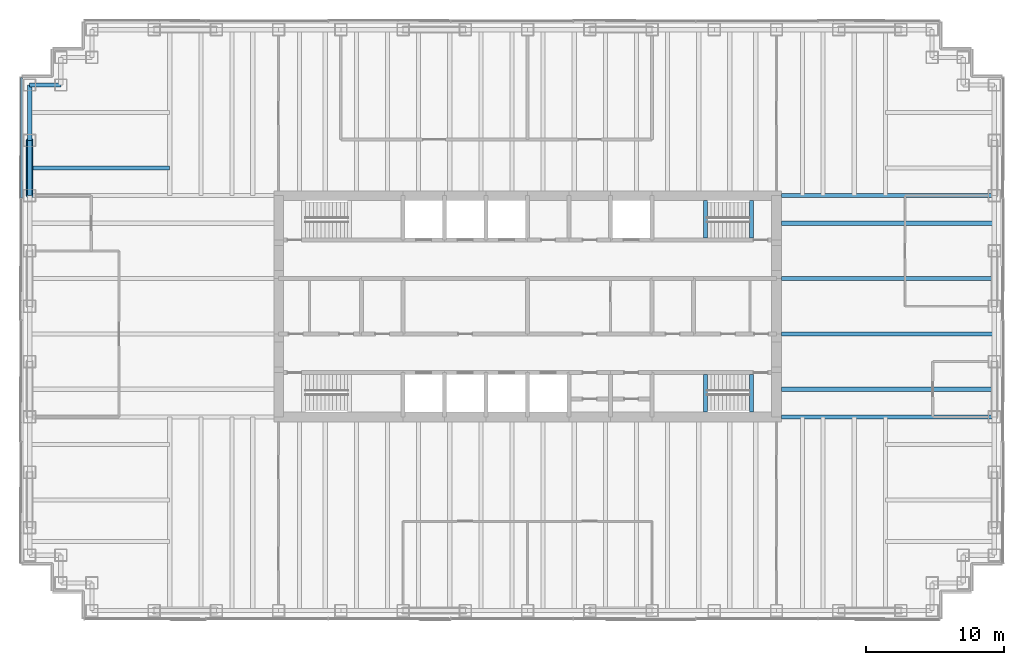
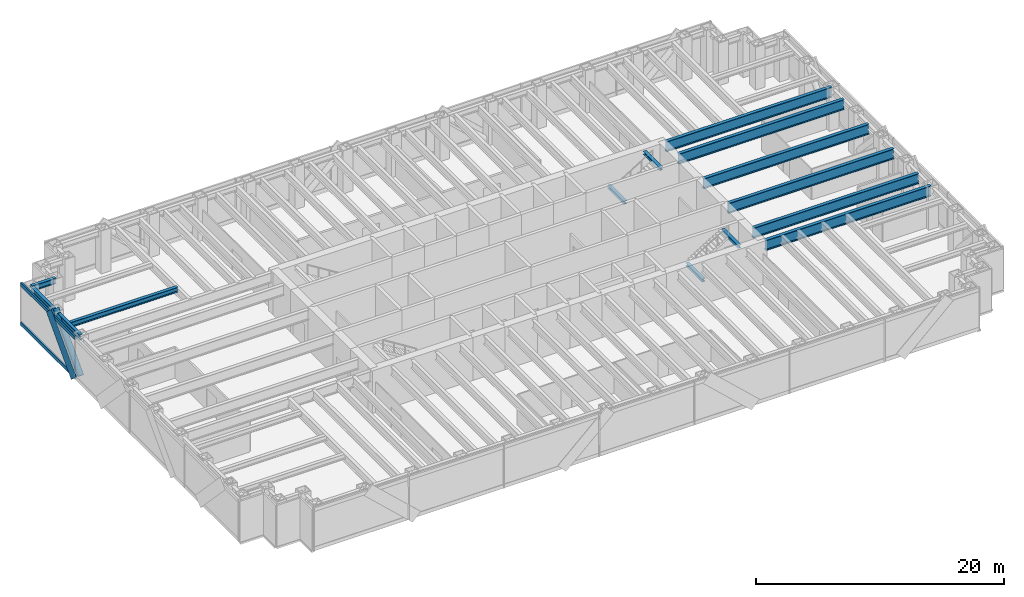
# One storey, part 5 of 15: 14 beams, 4 members, 1 element without a shape of its own.
"""IFC4 building model written with IfcOpenShell, lengths in metres."""

from ifc_helpers import new_model, si_unit, direction, frame, origin, origin_2d, place, context, subcontext, project, spatial, rectangle, hollow_circle, i_section, extrude, material, material_profile, profile_set, type_object, element, aggregate, save


model = new_model("IFC4")

# Units and contexts
model_context = context("Model", 3, precision=1e-05, world=origin(), true_north=direction((0.0, 1.0)))
body_context = subcontext(model_context, "Body", "Model", "MODEL_VIEW")
ifc_project = project(units=[si_unit("LENGTHUNIT", "METRE"), si_unit("AREAUNIT", "SQUARE_METRE"), si_unit("VOLUMEUNIT", "CUBIC_METRE"), si_unit("PLANEANGLEUNIT", "RADIAN"), si_unit("MASSUNIT", "GRAM", prefix="KILO")], contexts=[model_context])

# Site, building, storey
site_placement = place(None, origin())
site = spatial("IfcSite", under=ifc_project, at=site_placement, CompositionType="ELEMENT")
building_placement = place(site_placement, origin())
building = spatial("IfcBuilding", under=site, at=building_placement, Name="Rheinbord Bourse Tower", CompositionType="ELEMENT")
storey_placement = place(building_placement, frame((0.0, 0.0, 325.699951171875)))
storey = spatial("IfcBuildingStorey", under=building, at=storey_placement, Name="L74", CompositionType="ELEMENT", Elevation=325.699951171875)

# Curtain wall, members
ifc_material_1 = material(Name="Dark glass and black aluminium", Category="aluminium")
curtain_wall_type = type_object("IfcCurtainWallType", Name="CW3 DARK GLASS CURTAIN WALL", PredefinedType="USERDEFINED", material=ifc_material_1)
curtain_wall_placement = place(storey_placement, origin())
curtain_wall = element("IfcCurtainWall", 1, at=curtain_wall_placement, inside=storey, type_object=curtain_wall_type, Name="Curtain wall CW3 W L74", ObjectType="UNITISED CURTAIN WALL", PredefinedType="USERDEFINED")
ifc_material_2 = material(Name="Black anodised aluminium", Category="aluminium")
ifc_material_profile_1 = material_profile(ifc_material_2, rectangle(XDim=0.14990234375, YDim=1.10791015625, at=origin_2d()), Name="CW3 DIAGONAL MULLION 1108x150")
ifc_profile_set_1 = profile_set([ifc_material_profile_1], Name="Black anodised aluminium")
member_type_1 = type_object("IfcMemberType", Name="CW3 BLACK DIAGONAL MULLION", PredefinedType="USERDEFINED", material=ifc_profile_set_1)
member_1_placement = place(storey_placement, frame((-0.60009765625, 32.0, 0.0), z_axis=(0.0, 0.689659376744, 0.724133926887), x_axis=(-1.0, 0.0, 0.0)))
member_1 = element("IfcMember", 2, at=member_1_placement, type_object=member_type_1, Name="CW3 diagonal mullion c", ObjectType="DIAGONAL MULLION", PredefinedType="USERDEFINED", context=body_context, shape_type="SweptSolid", body=[
    extrude(rectangle(XDim=0.14990234375, YDim=1.10791015625, at=origin_2d()), origin(), (0.0, 0.0, 1.0), 5.800048828125),
])
ifc_material_3 = material(Name="Black anodised aluminium", Category="aluminium")
ifc_material_profile_2 = material_profile(ifc_material_3, rectangle(XDim=0.14990234375, YDim=0.35009765625, at=origin_2d()), Name="CW3 TRANSOM 350x150")
ifc_profile_set_2 = profile_set([ifc_material_profile_2], Name="Black anodised aluminium")
member_type_2 = type_object("IfcMemberType", Name="CW3 BLACK TRANSOM", PredefinedType="USERDEFINED", material=ifc_profile_set_2)
member_2_placement = place(storey_placement, frame((-0.60009765625, 40.534912109375, 0.175048828125), z_axis=(0.0, -1.0, 0.0), x_axis=(1.0, 0.0, 0.0)))
member_2 = element("IfcMember", 3, at=member_2_placement, type_object=member_type_2, Name="CW3 transom 1.1", ObjectType="TRANSOM", PredefinedType="USERDEFINED", context=body_context, shape_type="SweptSolid", body=[
    extrude(rectangle(XDim=0.14990234375, YDim=0.35009765625, at=origin_2d()), origin(), (0.0, 0.0, 1.0), 8.702392578125),
])
member_3_placement = place(storey_placement, frame((-0.60009765625, 40.534912109375, 4.025146484375), z_axis=(0.0, -1.0, 0.0), x_axis=(1.0, 0.0, 0.0)))
member_3 = element("IfcMember", 4, at=member_3_placement, type_object=member_type_2, Name="CW3 transom 1.2", ObjectType="TRANSOM", PredefinedType="USERDEFINED", context=body_context, shape_type="SweptSolid", body=[
    extrude(rectangle(XDim=0.14990234375, YDim=0.35009765625, at=origin_2d()), origin(), (0.0, 0.0, 1.0), 8.702392578125),
])
aggregate(curtain_wall, [member_2, member_3, member_1])

# Beams
ifc_material_4 = material(Name="Steel S460", Category="steel")
ifc_material_profile_3 = material_profile(ifc_material_4, i_section(OverallWidth=0.302001953125, OverallDepth=1.008056640625, WebThickness=0.02099609375, FlangeThickness=0.0400390625, at=origin_2d()), Name="HEM 1000")
ifc_profile_set_3 = profile_set([ifc_material_profile_3], Name="Steel S460")
beam_type_1 = type_object("IfcBeamType", Name="END BEAM HEM 1000", PredefinedType="BEAM", material=ifc_profile_set_3)
for number, where, z_axis, x_axis, name in (
    (5, (54.35009765625, 18.0, 3.5361328125), (1.0, 0.0, 0.0), (0.0, 1.0, 0.0), "End beam east 18 L75"),
    (6, (54.35009765625, 22.0, 3.5361328125), (1.0, 0.0, 0.0), (0.0, 1.0, 0.0), "End beam east 22 L75"),
    (7, (54.35009765625, 26.0, 3.5361328125), (1.0, 0.0, 0.0), (0.0, 1.0, 0.0), "End beam east 26 L75"),
    (8, (54.35009765625, 30.0, 3.5361328125), (1.0, 0.0, 0.0), (0.0, 1.0, 0.0), "End beam east 30 L75"),
):
    element("IfcBeam", number, at=place(storey_placement, frame(where, z_axis=z_axis, x_axis=x_axis)), inside=storey, type_object=beam_type_1, Name=name, PredefinedType="BEAM", context=body_context, shape_type="SweptSolid", body=[
        extrude(i_section(OverallWidth=0.302001953125, OverallDepth=1.008056640625, WebThickness=0.02099609375, FlangeThickness=0.0400390625, at=origin_2d()), origin(), (0.0, 0.0, 1.0), 15.39990234375),
    ])
ifc_material_5 = material(Name="Steel S460", Category="steel")
ifc_material_profile_4 = material_profile(ifc_material_5, i_section(OverallWidth=0.302001953125, OverallDepth=1.008056640625, WebThickness=0.02099609375, FlangeThickness=0.0400390625, at=origin_2d()), Name="HEM 1000")
ifc_profile_set_4 = profile_set([ifc_material_profile_4], Name="Steel S460")
beam_type_2 = type_object("IfcBeamType", Name="GIRDER HEM 1000", PredefinedType="BEAM", material=ifc_profile_set_4)
for number, where, z_axis, x_axis, name in (
    (9, (54.35009765625, 16.0, 3.5361328125), (1.0, 0.0, 0.0), (0.0, 1.0, 0.0), "Girder east 16 L75"),
    (10, (54.35009765625, 32.0, 3.5361328125), (1.0, 0.0, 0.0), (0.0, 1.0, 0.0), "Girder east 32 L75"),
):
    element("IfcBeam", number, at=place(storey_placement, frame(where, z_axis=z_axis, x_axis=x_axis)), inside=storey, type_object=beam_type_2, Name=name, PredefinedType="BEAM", context=body_context, shape_type="SweptSolid", body=[
        extrude(i_section(OverallWidth=0.302001953125, OverallDepth=1.008056640625, WebThickness=0.02099609375, FlangeThickness=0.0400390625, at=origin_2d()), origin(), (0.0, 0.0, 1.0), 15.39990234375),
    ])
ifc_material_6 = material(Name="Steel S460", Category="steel")
ifc_material_profile_5 = material_profile(ifc_material_6, i_section(OverallWidth=0.300048828125, OverallDepth=0.300048828125, WebThickness=0.010986328125, FlangeThickness=0.01904296875, at=origin_2d()), Name="HEB 300")
ifc_profile_set_5 = profile_set([ifc_material_profile_5], Name="Steel S460")
beam_type_3 = type_object("IfcBeamType", Name="LANDING TRIMMER HEB 300", PredefinedType="BEAM", material=ifc_profile_set_5)
for number, where, z_axis, x_axis, name in (
    (11, (48.8701171875, 16.35009765625, 1.75), (0.0, 1.0, 0.0), (-1.0, 0.0, 0.0), "Landing trimmer ST3 L74"),
    (12, (52.199951171875, 16.35009765625, 3.89013671875), (0.0, 1.0, 0.0), (-1.0, 0.0, 0.0), "Well trimmer ST3 under L75"),
    (13, (48.8701171875, 28.949951171875, 1.75), (0.0, 1.0, 0.0), (-1.0, 0.0, 0.0), "Landing trimmer ST4 L74"),
    (14, (52.199951171875, 28.949951171875, 3.89013671875), (0.0, 1.0, 0.0), (-1.0, 0.0, 0.0), "Well trimmer ST4 under L75"),
):
    element("IfcBeam", number, at=place(storey_placement, frame(where, z_axis=z_axis, x_axis=x_axis)), inside=storey, type_object=beam_type_3, Name=name, PredefinedType="BEAM", context=body_context, shape_type="SweptSolid", body=[
        extrude(i_section(OverallWidth=0.300048828125, OverallDepth=0.300048828125, WebThickness=0.010986328125, FlangeThickness=0.01904296875, at=origin_2d()), origin(), (0.0, 0.0, 1.0), 2.699951171875),
    ])

# Member
ifc_material_7 = material(Name="Steel S460", Category="steel")
ifc_material_profile_6 = material_profile(ifc_material_7, hollow_circle(Radius=0.25390625, WallThickness=0.030029296875, at=origin_2d()), Name="CHS 508x30")
ifc_profile_set_6 = profile_set([ifc_material_profile_6], Name="Steel S460")
member_type_3 = type_object("IfcMemberType", Name="MEGABRACE CHS 508x30", PredefinedType="BRACE", material=ifc_profile_set_6)
member_4_placement = place(storey_placement, frame((0.0, 32.0, 0.0), z_axis=(0.0, 0.689659376744, 0.724133926887), x_axis=(-1.0, 0.0, 0.0)))
element("IfcMember", 15, at=member_4_placement, inside=storey, type_object=member_type_3, Name="Megabrace W face line c L74", PredefinedType="BRACE", context=body_context, shape_type="SweptSolid", body=[
    extrude(hollow_circle(Radius=0.25390625, WallThickness=0.030029296875, at=origin_2d()), origin(), (0.0, 0.0, 1.0), 5.800048828125),
])

# Beams
ifc_material_8 = material(Name="Steel S460", Category="steel")
ifc_material_profile_7 = material_profile(ifc_material_8, i_section(OverallWidth=0.300048828125, OverallDepth=0.550048828125, WebThickness=0.014892578125, FlangeThickness=0.029052734375, at=origin_2d()), Name="HEB 550")
ifc_profile_set_7 = profile_set([ifc_material_profile_7], Name="Steel S460")
beam_type_4 = type_object("IfcBeamType", Name="SPANDREL HEB 550", PredefinedType="SPANDREL", material=ifc_profile_set_7)
beam_1_placement = place(storey_placement, frame((2.25, 40.0, 3.76513671875), z_axis=(-1.0, 0.0, 0.0), x_axis=(0.0, -1.0, 0.0)))
element("IfcBeam", 16, at=beam_1_placement, inside=storey, type_object=beam_type_4, Name="Spandrel NW-B-NW-A under L75", PredefinedType="SPANDREL", context=body_context, shape_type="SweptSolid", body=[
    extrude(i_section(OverallWidth=0.300048828125, OverallDepth=0.550048828125, WebThickness=0.014892578125, FlangeThickness=0.029052734375, at=origin_2d()), origin(), (0.0, 0.0, 1.0), 2.25),
])
for number, where, z_axis, x_axis, name in (
    (17, (0.0, 40.0, 3.76513671875), (0.0, -1.0, 0.0), (1.0, 0.0, 0.0), "Spandrel NW-A-W-36 under L75"),
    (18, (0.0, 36.0, 3.76513671875), (0.0, -1.0, 0.0), (1.0, 0.0, 0.0), "Spandrel W-36-W-32 under L75"),
):
    element("IfcBeam", number, at=place(storey_placement, frame(where, z_axis=z_axis, x_axis=x_axis)), inside=storey, type_object=beam_type_4, Name=name, PredefinedType="SPANDREL", context=body_context, shape_type="SweptSolid", body=[
        extrude(i_section(OverallWidth=0.300048828125, OverallDepth=0.550048828125, WebThickness=0.014892578125, FlangeThickness=0.029052734375, at=origin_2d()), origin(), (0.0, 0.0, 1.0), 4.0),
    ])
ifc_material_9 = material(Name="Steel S460", Category="steel")
ifc_material_profile_8 = material_profile(ifc_material_9, i_section(OverallWidth=0.300048828125, OverallDepth=0.5, WebThickness=0.014404296875, FlangeThickness=0.028076171875, at=origin_2d()), Name="HEB 500")
ifc_profile_set_8 = profile_set([ifc_material_profile_8], Name="Steel S460")
beam_type_5 = type_object("IfcBeamType", Name="TIE BEAM HEB 500", PredefinedType="JOIST", material=ifc_profile_set_8)
beam_2_placement = place(storey_placement, frame((0.0, 34.0, 3.7900390625), z_axis=(1.0, 0.0, 0.0), x_axis=(0.0, 1.0, 0.0)))
element("IfcBeam", 19, at=beam_2_placement, inside=storey, type_object=beam_type_5, Name="Tie west 34 L75", PredefinedType="JOIST", context=body_context, shape_type="SweptSolid", body=[
    extrude(i_section(OverallWidth=0.300048828125, OverallDepth=0.5, WebThickness=0.014404296875, FlangeThickness=0.028076171875, at=origin_2d()), origin(), (0.0, 0.0, 1.0), 10.125),
])

save(model, "model.ifc")
